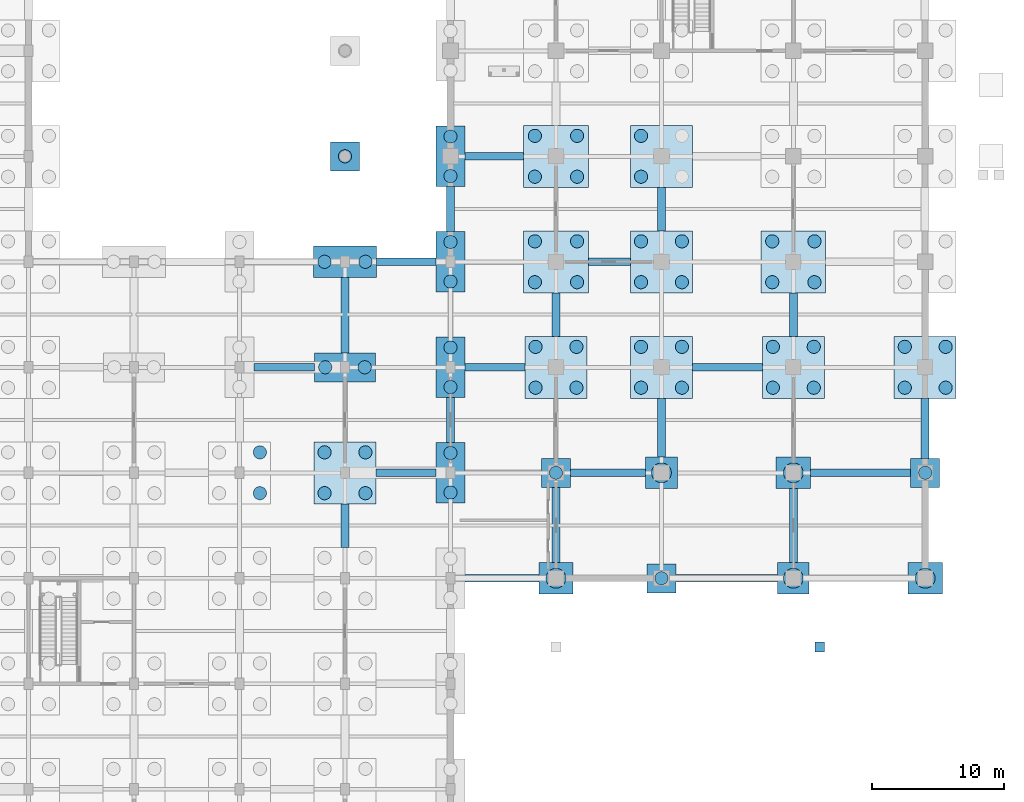
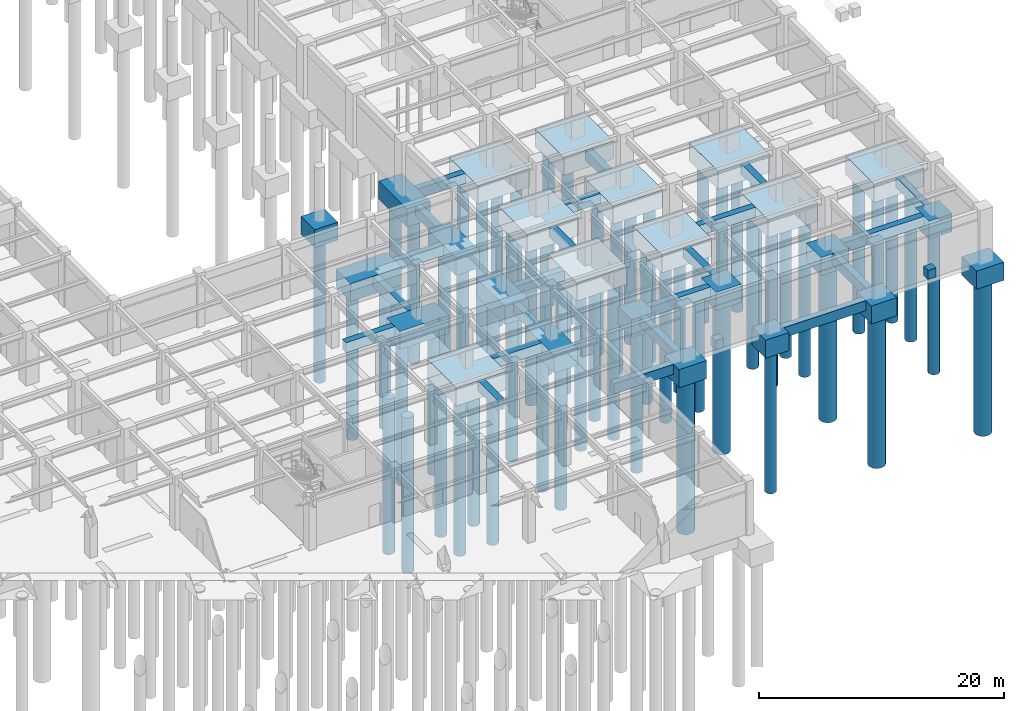
# One storey, part 10 of 97: 61 piles, 48 footings.
"""IFC4 building model written with IfcOpenShell, lengths in metres."""

from ifc_helpers import new_model, si_unit, direction, frame, origin, origin_2d, place, context, subcontext, project, spatial, rectangle, circle, extrude, material, layer, layer_set, material_profile, profile_set, type_object, element, save


model = new_model("IFC4")

# Units and contexts
model_context = context("Model", 3, precision=1e-05, world=origin(), true_north=direction((0.0, 1.0)))
body_context = subcontext(model_context, "Body", "Model", "MODEL_VIEW")
ifc_project = project(units=[si_unit("LENGTHUNIT", "METRE"), si_unit("AREAUNIT", "SQUARE_METRE"), si_unit("VOLUMEUNIT", "CUBIC_METRE"), si_unit("PLANEANGLEUNIT", "RADIAN"), si_unit("MASSUNIT", "GRAM", prefix="KILO")], contexts=[model_context])

# Site, building, storey
site_placement = place(None, origin())
site = spatial("IfcSite", under=ifc_project, at=site_placement, CompositionType="ELEMENT")
building_placement = place(site_placement, origin())
building = spatial("IfcBuilding", under=site, at=building_placement, Name="Haebicheon Civic Stadium", CompositionType="ELEMENT")
storey_placement = place(building_placement, frame((0.0, 0.0, -5.39990234375)))
storey = spatial("IfcBuildingStorey", under=building, at=storey_placement, Name="B1", CompositionType="ELEMENT", Elevation=-5.39990234375)

# Footings
ifc_material_1 = material(Name="Concrete C40/50", Category="concrete")
ifc_layer_1 = layer(ifc_material_1, 1.0, Name="Concrete C40/50")
ifc_layer_set_1 = layer_set([ifc_layer_1], Name="Concrete C40/50")
footing_type_1 = type_object("IfcFootingType", Name="FB-3200x600", PredefinedType="FOOTING_BEAM", material=ifc_layer_set_1)
footing_1_placement = place(storey_placement, frame((212.050048828125, 48.0, -1.0), z_axis=(0.0, 0.0, 1.0), x_axis=(1.0, 0.0, 0.0)))
element("IfcFooting", 1, at=footing_1_placement, inside=storey, type_object=footing_type_1, material=ifc_layer_set_1, Name="Ground tie beam X 26-06", PredefinedType="FOOTING_BEAM", context=body_context, shape_type="SweptSolid", body=[
    extrude(rectangle(XDim=3.199951171875, YDim=0.60009765625, at=origin_2d()), origin(), (0.0, 0.0, 1.0), 1.0),
])
ifc_material_2 = material(Name="Concrete C40/50", Category="concrete")
ifc_layer_2 = layer(ifc_material_2, 1.0, Name="Concrete C40/50")
ifc_layer_set_2 = layer_set([ifc_layer_2], Name="Concrete C40/50")
footing_type_2 = type_object("IfcFootingType", Name="FB-3300x600", PredefinedType="FOOTING_BEAM", material=ifc_layer_set_2)
for number, where, z_axis, x_axis, name in (
    (2, (192.0, 28.0, -1.0), (0.0, 0.0, 1.0), (0.0, 1.0, 0.0), "Ground tie beam Y 24-03"),
    (3, (208.0, 44.0, -1.0), (0.0, 0.0, 1.0), (0.0, 1.0, 0.0), "Ground tie beam Y 26-05"),
    (4, (216.0, 52.0, -1.0), (0.0, 0.0, 1.0), (0.0, 1.0, 0.0), "Ground tie beam Y 27-06"),
    (5, (226.0, 44.0, -1.0), (0.0, 0.0, 1.0), (0.0, 1.0, 0.0), "Ground tie beam Y 28-05"),
):
    element("IfcFooting", number, at=place(storey_placement, frame(where, z_axis=z_axis, x_axis=x_axis)), inside=storey, type_object=footing_type_2, material=ifc_layer_set_2, Name=name, PredefinedType="FOOTING_BEAM", context=body_context, shape_type="SweptSolid", body=[
        extrude(rectangle(XDim=3.300048828125, YDim=0.60009765625, at=origin_2d()), origin(), (0.0, 0.0, 1.0), 1.0),
    ])
ifc_material_3 = material(Name="Concrete C40/50", Category="concrete")
ifc_layer_3 = layer(ifc_material_3, 1.0, Name="Concrete C40/50")
ifc_layer_set_3 = layer_set([ifc_layer_3], Name="Concrete C40/50")
footing_type_3 = type_object("IfcFootingType", Name="FB-3400x600", PredefinedType="FOOTING_BEAM", material=ifc_layer_set_3)
for number, where, z_axis, x_axis, name in (
    (6, (200.0, 36.0, -1.0), (0.0, 0.0, 1.0), (0.0, 1.0, 0.0), "Ground tie beam Y 25-04"),
    (7, (200.0, 52.0, -1.0), (0.0, 0.0, 1.0), (0.0, 1.0, 0.0), "Ground tie beam Y 25-06"),
):
    element("IfcFooting", number, at=place(storey_placement, frame(where, z_axis=z_axis, x_axis=x_axis)), inside=storey, type_object=footing_type_3, material=ifc_layer_set_3, Name=name, PredefinedType="FOOTING_BEAM", context=body_context, shape_type="SweptSolid", body=[
        extrude(rectangle(XDim=3.39990234375, YDim=0.60009765625, at=origin_2d()), origin(), (0.0, 0.0, 1.0), 1.0),
    ])
ifc_material_4 = material(Name="Concrete C40/50", Category="concrete")
ifc_layer_4 = layer(ifc_material_4, 1.0, Name="Concrete C40/50")
ifc_layer_set_4 = layer_set([ifc_layer_4], Name="Concrete C40/50")
footing_type_4 = type_object("IfcFootingType", Name="FB-4450x600", PredefinedType="FOOTING_BEAM", material=ifc_layer_set_4)
for number, where, z_axis, x_axis, name in (
    (8, (203.324951171875, 56.0, -1.0), (0.0, 0.0, 1.0), (1.0, 0.0, 0.0), "Ground tie beam X 25-07"),
    (9, (216.0, 35.425048828125, -1.0), (0.0, 0.0, 1.0), (0.0, 1.0, 0.0), "Ground tie beam Y 27-04"),
):
    element("IfcFooting", number, at=place(storey_placement, frame(where, z_axis=z_axis, x_axis=x_axis)), inside=storey, type_object=footing_type_4, material=ifc_layer_set_4, Name=name, PredefinedType="FOOTING_BEAM", context=body_context, shape_type="SweptSolid", body=[
        extrude(rectangle(XDim=4.449951171875, YDim=0.60009765625, at=origin_2d()), origin(), (0.0, 0.0, 1.0), 1.0),
    ])
ifc_material_5 = material(Name="Concrete C40/50", Category="concrete")
ifc_layer_5 = layer(ifc_material_5, 1.0, Name="Concrete C40/50")
ifc_layer_set_5 = layer_set([ifc_layer_5], Name="Concrete C40/50")
footing_type_5 = type_object("IfcFootingType", Name="FB-4500x600", PredefinedType="FOOTING_BEAM", material=ifc_layer_set_5)
footing_2_placement = place(storey_placement, frame((196.64990234375, 48.0, -1.0), z_axis=(0.0, 0.0, 1.0), x_axis=(1.0, 0.0, 0.0)))
element("IfcFooting", 10, at=footing_2_placement, inside=storey, type_object=footing_type_5, material=ifc_layer_set_5, Name="Ground tie beam X 24-06", PredefinedType="FOOTING_BEAM", context=body_context, shape_type="SweptSolid", body=[
    extrude(rectangle(XDim=4.5, YDim=0.60009765625, at=origin_2d()), origin(), (0.0, 0.0, 1.0), 1.0),
])
ifc_material_6 = material(Name="Concrete C40/50", Category="concrete")
ifc_layer_6 = layer(ifc_material_6, 1.0, Name="Concrete C40/50")
ifc_layer_set_6 = layer_set([ifc_layer_6], Name="Concrete C40/50")
footing_type_6 = type_object("IfcFootingType", Name="FB-4550x600", PredefinedType="FOOTING_BEAM", material=ifc_layer_set_6)
for number, where, z_axis, x_axis, name in (
    (11, (196.625, 32.0, -1.0), (0.0, 0.0, 1.0), (1.0, 0.0, 0.0), "Ground tie beam X 24-04"),
    (12, (203.375, 40.0, -1.0), (0.0, 0.0, 1.0), (1.0, 0.0, 0.0), "Ground tie beam X 25-05"),
    (13, (236.0, 35.375, -1.0), (0.0, 0.0, 1.0), (0.0, 1.0, 0.0), "Ground tie beam Y 29-04"),
):
    element("IfcFooting", number, at=place(storey_placement, frame(where, z_axis=z_axis, x_axis=x_axis)), inside=storey, type_object=footing_type_6, material=ifc_layer_set_6, Name=name, PredefinedType="FOOTING_BEAM", context=body_context, shape_type="SweptSolid", body=[
        extrude(rectangle(XDim=4.550048828125, YDim=0.60009765625, at=origin_2d()), origin(), (0.0, 0.0, 1.0), 1.0),
    ])
ifc_material_7 = material(Name="Concrete C40/50", Category="concrete")
ifc_layer_7 = layer(ifc_material_7, 1.0, Name="Concrete C40/50")
ifc_layer_set_7 = layer_set([ifc_layer_7], Name="Concrete C40/50")
footing_type_7 = type_object("IfcFootingType", Name="FB-4600x600", PredefinedType="FOOTING_BEAM", material=ifc_layer_set_7)
footing_3_placement = place(storey_placement, frame((187.39990234375, 40.0, -1.0), z_axis=(0.0, 0.0, 1.0), x_axis=(1.0, 0.0, 0.0)))
element("IfcFooting", 14, at=footing_3_placement, inside=storey, type_object=footing_type_7, material=ifc_layer_set_7, Name="Ground tie beam X 23-05", PredefinedType="FOOTING_BEAM", context=body_context, shape_type="SweptSolid", body=[
    extrude(rectangle(XDim=4.60009765625, YDim=0.60009765625, at=origin_2d()), origin(), (0.0, 0.0, 1.0), 1.0),
])
ifc_material_8 = material(Name="Concrete C40/50", Category="concrete")
ifc_layer_8 = layer(ifc_material_8, 1.0, Name="Concrete C40/50")
ifc_layer_set_8 = layer_set([ifc_layer_8], Name="Concrete C40/50")
footing_type_8 = type_object("IfcFootingType", Name="FB-5300x600", PredefinedType="FOOTING_BEAM", material=ifc_layer_set_8)
footing_4_placement = place(storey_placement, frame((221.0, 40.0, -1.0), z_axis=(0.0, 0.0, 1.0), x_axis=(1.0, 0.0, 0.0)))
element("IfcFooting", 15, at=footing_4_placement, inside=storey, type_object=footing_type_8, material=ifc_layer_set_8, Name="Ground tie beam X 27-05", PredefinedType="FOOTING_BEAM", context=body_context, shape_type="SweptSolid", body=[
    extrude(rectangle(XDim=5.300048828125, YDim=0.60009765625, at=origin_2d()), origin(), (0.0, 0.0, 1.0), 1.0),
])
ifc_material_9 = material(Name="Concrete C40/50", Category="concrete")
ifc_layer_9 = layer(ifc_material_9, 1.0, Name="Concrete C40/50")
ifc_layer_set_9 = layer_set([ifc_layer_9], Name="Concrete C40/50")
footing_type_9 = type_object("IfcFootingType", Name="FB-5600x600", PredefinedType="FOOTING_BEAM", material=ifc_layer_set_9)
for number, where, z_axis, x_axis, name in (
    (16, (203.89990234375, 24.0, -1.0), (0.0, 0.0, 1.0), (1.0, 0.0, 0.0), "Ground tie beam X 25-03"),
    (17, (226.0, 28.0, -1.0), (0.0, 0.0, 1.0), (0.0, 1.0, 0.0), "Ground tie beam Y 28-03"),
):
    element("IfcFooting", number, at=place(storey_placement, frame(where, z_axis=z_axis, x_axis=x_axis)), inside=storey, type_object=footing_type_9, material=ifc_layer_set_9, Name=name, PredefinedType="FOOTING_BEAM", context=body_context, shape_type="SweptSolid", body=[
        extrude(rectangle(XDim=5.60009765625, YDim=0.60009765625, at=origin_2d()), origin(), (0.0, 0.0, 1.0), 1.0),
    ])
ifc_material_10 = material(Name="Concrete C40/50", Category="concrete")
ifc_layer_10 = layer(ifc_material_10, 1.0, Name="Concrete C40/50")
ifc_layer_set_10 = layer_set([ifc_layer_10], Name="Concrete C40/50")
footing_type_10 = type_object("IfcFootingType", Name="FB-5700x600", PredefinedType="FOOTING_BEAM", material=ifc_layer_set_10)
for number, where, z_axis, x_axis, name in (
    (18, (192.0, 43.949951171875, -1.0), (0.0, 0.0, 1.0), (0.0, 1.0, 0.0), "Ground tie beam Y 24-05"),
    (19, (208.0, 28.050048828125, -1.0), (0.0, 0.0, 1.0), (0.0, 1.0, 0.0), "Ground tie beam Y 26-03"),
    (20, (211.949951171875, 32.0, -1.0), (0.0, 0.0, 1.0), (1.0, 0.0, 0.0), "Ground tie beam X 26-04"),
):
    element("IfcFooting", number, at=place(storey_placement, frame(where, z_axis=z_axis, x_axis=x_axis)), inside=storey, type_object=footing_type_10, material=ifc_layer_set_10, Name=name, PredefinedType="FOOTING_BEAM", context=body_context, shape_type="SweptSolid", body=[
        extrude(rectangle(XDim=5.699951171875, YDim=0.60009765625, at=origin_2d()), origin(), (0.0, 0.0, 1.0), 1.0),
    ])
ifc_material_11 = material(Name="Concrete C40/50", Category="concrete")
ifc_layer_11 = layer(ifc_material_11, 1.0, Name="Concrete C40/50")
ifc_layer_set_11 = layer_set([ifc_layer_11], Name="Concrete C40/50")
footing_type_11 = type_object("IfcFootingType", Name="FB-7600x600", PredefinedType="FOOTING_BEAM", material=ifc_layer_set_11)
footing_5_placement = place(storey_placement, frame((231.10009765625, 32.0, -1.0), z_axis=(0.0, 0.0, 1.0), x_axis=(1.0, 0.0, 0.0)))
element("IfcFooting", 21, at=footing_5_placement, inside=storey, type_object=footing_type_11, material=ifc_layer_set_11, Name="Ground tie beam X 28-04", PredefinedType="FOOTING_BEAM", context=body_context, shape_type="SweptSolid", body=[
    extrude(rectangle(XDim=7.60009765625, YDim=0.60009765625, at=origin_2d()), origin(), (0.0, 0.0, 1.0), 1.0),
])
ifc_material_12 = material(Name="Concrete C40/50", Category="concrete")
ifc_layer_12 = layer(ifc_material_12, 1.0, Name="Concrete C40/50")
ifc_layer_set_12 = layer_set([ifc_layer_12], Name="Concrete C40/50")
footing_type_12 = type_object("IfcFootingType", Name="FB-7700x600", PredefinedType="FOOTING_BEAM", material=ifc_layer_set_12)
footing_6_placement = place(storey_placement, frame((220.949951171875, 24.0, -1.0), z_axis=(0.0, 0.0, 1.0), x_axis=(1.0, 0.0, 0.0)))
element("IfcFooting", 22, at=footing_6_placement, inside=storey, type_object=footing_type_12, material=ifc_layer_set_12, Name="Ground tie beam X 27-03", PredefinedType="FOOTING_BEAM", context=body_context, shape_type="SweptSolid", body=[
    extrude(rectangle(XDim=7.699951171875, YDim=0.60009765625, at=origin_2d()), origin(), (0.0, 0.0, 1.0), 1.0),
])
ifc_material_13 = material(Name="Concrete C40/50", Category="concrete")
ifc_layer_13 = layer(ifc_material_13, 1.800048828125, Name="Concrete C40/50")
ifc_layer_set_13 = layer_set([ifc_layer_13], Name="Concrete C40/50")
footing_type_13 = type_object("IfcFootingType", Name="PC-1P-2200", PredefinedType="PILE_CAP", material=ifc_layer_set_13)
for number, where, z_axis, x_axis, name in (
    (23, (208.0, 32.0, -1.80029296875), (0.0, 0.0, 1.0), (1.0, 0.0, 0.0), "Pile cap FT-PC-26-04"),
    (24, (216.0, 24.0, -1.80029296875), (0.0, 0.0, 1.0), (1.0, 0.0, 0.0), "Pile cap FT-PC-27-03"),
    (25, (236.0, 32.0, -1.80029296875), (0.0, 0.0, 1.0), (1.0, 0.0, 0.0), "Pile cap FT-PC-29-04"),
    (26, (192.0, 56.0, -1.80029296875), (0.0, 0.0, 1.0), (1.0, 0.0, 0.0), "Bowl pier pile cap FT-BPC-039"),
):
    element("IfcFooting", number, at=place(storey_placement, frame(where, z_axis=z_axis, x_axis=x_axis)), inside=storey, type_object=footing_type_13, material=ifc_layer_set_13, Name=name, PredefinedType="PILE_CAP", context=body_context, shape_type="SweptSolid", body=[
        extrude(rectangle(XDim=2.199951171875, YDim=2.199951171875, at=origin_2d()), origin(), (0.0, 0.0, 1.0), 1.800048828125),
    ])
ifc_material_14 = material(Name="Concrete C40/50", Category="concrete")
ifc_layer_14 = layer(ifc_material_14, 1.800048828125, Name="Concrete C40/50")
ifc_layer_set_14 = layer_set([ifc_layer_14], Name="Concrete C40/50")
footing_type_14 = type_object("IfcFootingType", Name="PC-1P-2400", PredefinedType="PILE_CAP", material=ifc_layer_set_14)
for number, where, z_axis, x_axis, name in (
    (27, (216.0, 32.0, -1.80029296875), (0.0, 0.0, 1.0), (1.0, 0.0, 0.0), "Pile cap FT-PC-27-04"),
    (28, (226.0, 24.0, -1.80029296875), (0.0, 0.0, 1.0), (1.0, 0.0, 0.0), "Pile cap FT-PC-28-03"),
):
    element("IfcFooting", number, at=place(storey_placement, frame(where, z_axis=z_axis, x_axis=x_axis)), inside=storey, type_object=footing_type_14, material=ifc_layer_set_14, Name=name, PredefinedType="PILE_CAP", context=body_context, shape_type="SweptSolid", body=[
        extrude(rectangle(XDim=2.39990234375, YDim=2.39990234375, at=origin_2d()), origin(), (0.0, 0.0, 1.0), 1.800048828125),
    ])
ifc_material_15 = material(Name="Concrete C40/50", Category="concrete")
ifc_layer_15 = layer(ifc_material_15, 1.800048828125, Name="Concrete C40/50")
ifc_layer_set_15 = layer_set([ifc_layer_15], Name="Concrete C40/50")
footing_type_15 = type_object("IfcFootingType", Name="PC-1P-2600", PredefinedType="PILE_CAP", material=ifc_layer_set_15)
for number, where, z_axis, x_axis, name in (
    (29, (208.0, 24.0, -1.80029296875), (0.0, 0.0, 1.0), (1.0, 0.0, 0.0), "Pile cap FT-PC-26-03"),
    (30, (226.0, 32.0, -1.80029296875), (0.0, 0.0, 1.0), (1.0, 0.0, 0.0), "Pile cap FT-PC-28-04"),
    (31, (236.0, 24.0, -1.80029296875), (0.0, 0.0, 1.0), (1.0, 0.0, 0.0), "Pile cap FT-PC-29-03"),
):
    element("IfcFooting", number, at=place(storey_placement, frame(where, z_axis=z_axis, x_axis=x_axis)), inside=storey, type_object=footing_type_15, material=ifc_layer_set_15, Name=name, PredefinedType="PILE_CAP", context=body_context, shape_type="SweptSolid", body=[
        extrude(rectangle(XDim=2.60009765625, YDim=2.39990234375, at=origin_2d()), origin(), (0.0, 0.0, 1.0), 1.800048828125),
    ])
ifc_material_16 = material(Name="Concrete C40/50", Category="concrete")
ifc_layer_16 = layer(ifc_material_16, 1.800048828125, Name="Concrete C40/50")
ifc_layer_set_16 = layer_set([ifc_layer_16], Name="Concrete C40/50")
footing_type_16 = type_object("IfcFootingType", Name="PC-2P-2200", PredefinedType="PILE_CAP", material=ifc_layer_set_16)
for number, where, z_axis, x_axis, name in (
    (32, (200.0, 32.0, -1.80029296875), (0.0, 0.0, 1.0), (1.0, 0.0, 0.0), "Pile cap FT-PC-25-04"),
    (33, (200.0, 40.0, -1.80029296875), (0.0, 0.0, 1.0), (1.0, 0.0, 0.0), "Pile cap FT-PC-25-05"),
    (34, (200.0, 48.0, -1.80029296875), (0.0, 0.0, 1.0), (1.0, 0.0, 0.0), "Pile cap FT-PC-25-06"),
    (35, (200.0, 56.0, -1.80029296875), (0.0, 0.0, 1.0), (1.0, 0.0, 0.0), "Pile cap FT-PC-25-07"),
):
    element("IfcFooting", number, at=place(storey_placement, frame(where, z_axis=z_axis, x_axis=x_axis)), inside=storey, type_object=footing_type_16, material=ifc_layer_set_16, Name=name, PredefinedType="PILE_CAP", context=body_context, shape_type="SweptSolid", body=[
        extrude(rectangle(XDim=2.199951171875, YDim=4.60009765625, at=origin_2d()), origin(), (0.0, 0.0, 1.0), 1.800048828125),
    ])
ifc_material_17 = material(Name="Concrete C40/50", Category="concrete")
ifc_layer_17 = layer(ifc_material_17, 1.800048828125, Name="Concrete C40/50")
ifc_layer_set_17 = layer_set([ifc_layer_17], Name="Concrete C40/50")
footing_type_17 = type_object("IfcFootingType", Name="PC-2P-4600", PredefinedType="PILE_CAP", material=ifc_layer_set_17)
footing_7_placement = place(storey_placement, frame((192.0, 40.0, -1.80029296875), z_axis=(0.0, 0.0, 1.0), x_axis=(1.0, 0.0, 0.0)))
element("IfcFooting", 36, at=footing_7_placement, inside=storey, type_object=footing_type_17, material=ifc_layer_set_17, Name="Pile cap FT-PC-24-05", PredefinedType="PILE_CAP", context=body_context, shape_type="SweptSolid", body=[
    extrude(rectangle(XDim=4.60009765625, YDim=2.199951171875, at=origin_2d()), origin(), (0.0, 0.0, 1.0), 1.800048828125),
])
ifc_material_18 = material(Name="Concrete C40/50", Category="concrete")
ifc_layer_18 = layer(ifc_material_18, 1.800048828125, Name="Concrete C40/50")
ifc_layer_set_18 = layer_set([ifc_layer_18], Name="Concrete C40/50")
footing_type_18 = type_object("IfcFootingType", Name="PC-2P-4800", PredefinedType="PILE_CAP", material=ifc_layer_set_18)
footing_8_placement = place(storey_placement, frame((192.0, 48.0, -1.80029296875), z_axis=(0.0, 0.0, 1.0), x_axis=(1.0, 0.0, 0.0)))
element("IfcFooting", 37, at=footing_8_placement, inside=storey, type_object=footing_type_18, material=ifc_layer_set_18, Name="Pile cap FT-PC-24-06", PredefinedType="PILE_CAP", context=body_context, shape_type="SweptSolid", body=[
    extrude(rectangle(XDim=4.800048828125, YDim=2.39990234375, at=origin_2d()), origin(), (0.0, 0.0, 1.0), 1.800048828125),
])
ifc_material_19 = material(Name="Concrete C40/50", Category="concrete")
ifc_layer_19 = layer(ifc_material_19, 1.800048828125, Name="Concrete C40/50")
ifc_layer_set_19 = layer_set([ifc_layer_19], Name="Concrete C40/50")
footing_type_19 = type_object("IfcFootingType", Name="PC-4P-4700", PredefinedType="PILE_CAP", material=ifc_layer_set_19)
for number, where, z_axis, x_axis, name in (
    (38, (192.0, 32.0, -1.80029296875), (0.0, 0.0, 1.0), (1.0, 0.0, 0.0), "Pile cap FT-PC-24-04"),
    (39, (208.0, 40.0, -1.80029296875), (0.0, 0.0, 1.0), (1.0, 0.0, 0.0), "Pile cap FT-PC-26-05"),
    (40, (216.0, 40.0, -1.80029296875), (0.0, 0.0, 1.0), (1.0, 0.0, 0.0), "Pile cap FT-PC-27-05"),
    (41, (216.0, 48.0, -1.80029296875), (0.0, 0.0, 1.0), (1.0, 0.0, 0.0), "Pile cap FT-PC-27-06"),
    (42, (216.0, 56.0, -1.80029296875), (0.0, 0.0, 1.0), (1.0, 0.0, 0.0), "Pile cap FT-PC-27-07"),
    (43, (226.0, 40.0, -1.80029296875), (0.0, 0.0, 1.0), (1.0, 0.0, 0.0), "Pile cap FT-PC-28-05"),
    (44, (236.0, 40.0, -1.80029296875), (0.0, 0.0, 1.0), (1.0, 0.0, 0.0), "Pile cap FT-PC-29-05"),
):
    element("IfcFooting", number, at=place(storey_placement, frame(where, z_axis=z_axis, x_axis=x_axis)), inside=storey, type_object=footing_type_19, material=ifc_layer_set_19, Name=name, PredefinedType="PILE_CAP", context=body_context, shape_type="SweptSolid", body=[
        extrude(rectangle(XDim=4.699951171875, YDim=4.699951171875, at=origin_2d()), origin(), (0.0, 0.0, 1.0), 1.800048828125),
    ])
ifc_material_20 = material(Name="Concrete C40/50", Category="concrete")
ifc_layer_20 = layer(ifc_material_20, 1.800048828125, Name="Concrete C40/50")
ifc_layer_set_20 = layer_set([ifc_layer_20], Name="Concrete C40/50")
footing_type_20 = type_object("IfcFootingType", Name="PC-4P-4900", PredefinedType="PILE_CAP", material=ifc_layer_set_20)
for number, where, z_axis, x_axis, name in (
    (45, (208.0, 48.0, -1.80029296875), (0.0, 0.0, 1.0), (1.0, 0.0, 0.0), "Pile cap FT-PC-26-06"),
    (46, (208.0, 56.0, -1.80029296875), (0.0, 0.0, 1.0), (1.0, 0.0, 0.0), "Pile cap FT-PC-26-07"),
    (47, (226.0, 48.0, -1.80029296875), (0.0, 0.0, 1.0), (1.0, 0.0, 0.0), "Pile cap FT-PC-28-06"),
):
    element("IfcFooting", number, at=place(storey_placement, frame(where, z_axis=z_axis, x_axis=x_axis)), inside=storey, type_object=footing_type_20, material=ifc_layer_set_20, Name=name, PredefinedType="PILE_CAP", context=body_context, shape_type="SweptSolid", body=[
        extrude(rectangle(XDim=4.89990234375, YDim=4.699951171875, at=origin_2d()), origin(), (0.0, 0.0, 1.0), 1.800048828125),
    ])
ifc_material_21 = material(Name="Concrete C35/45", Category="concrete")
ifc_layer_21 = layer(ifc_material_21, 0.89990234375, Name="Concrete C35/45")
ifc_layer_set_21 = layer_set([ifc_layer_21], Name="Concrete C35/45")
footing_type_21 = type_object("IfcFootingType", Name="PF-750", PredefinedType="PAD_FOOTING", material=ifc_layer_set_21)
footing_9_placement = place(storey_placement, frame((228.0, 18.800048828125, 4.300048828125), z_axis=(0.0, 0.0, 1.0), x_axis=(1.0, 0.0, 0.0)))
element("IfcFooting", 48, at=footing_9_placement, inside=storey, type_object=footing_type_21, material=ifc_layer_set_21, Name="Exterior plaza apron pad footing APR-SE-2", PredefinedType="PAD_FOOTING", context=body_context, shape_type="SweptSolid", body=[
    extrude(rectangle(XDim=0.75, YDim=0.75, at=origin_2d()), origin(), (0.0, 0.0, 1.0), 0.89990234375),
])

# Piles
ifc_material_22 = material(Name="Concrete C40/50", Category="concrete")
ifc_material_profile_1 = material_profile(ifc_material_22, circle(Radius=0.5, at=origin_2d()), Name="PILE-D1000")
ifc_profile_set_1 = profile_set([ifc_material_profile_1], Name="Concrete C40/50")
pile_type_1 = type_object("IfcPileType", Name="PL-D1000", PredefinedType="BORED", material=ifc_profile_set_1)
for number, where, z_axis, x_axis, name in (
    (49, (185.550048828125, 30.449951171875, -1.7001953125), (0.0, 0.0, -1.0), (1.0, 0.0, 0.0), "Bored pile 23-04-2"),
    (50, (185.550048828125, 33.550048828125, -1.7001953125), (0.0, 0.0, -1.0), (1.0, 0.0, 0.0), "Bored pile 23-04-4"),
    (51, (190.449951171875, 30.449951171875, -1.7001953125), (0.0, 0.0, -1.0), (1.0, 0.0, 0.0), "Bored pile 24-04-1"),
    (52, (193.550048828125, 30.449951171875, -1.7001953125), (0.0, 0.0, -1.0), (1.0, 0.0, 0.0), "Bored pile 24-04-2"),
    (53, (190.449951171875, 33.550048828125, -1.7001953125), (0.0, 0.0, -1.0), (1.0, 0.0, 0.0), "Bored pile 24-04-3"),
    (54, (193.550048828125, 33.550048828125, -1.7001953125), (0.0, 0.0, -1.0), (1.0, 0.0, 0.0), "Bored pile 24-04-4"),
):
    element("IfcPile", number, at=place(storey_placement, frame(where, z_axis=z_axis, x_axis=x_axis)), inside=storey, type_object=pile_type_1, material=ifc_profile_set_1, Name=name, PredefinedType="BORED", context=body_context, shape_type="SweptSolid", body=[
        extrude(circle(Radius=0.5, at=origin_2d()), origin(), (0.0, 0.0, 1.0), 15.5),
    ])
for number, where, z_axis, x_axis, name in (
    (55, (190.5, 40.0, -1.7001953125), (0.0, 0.0, -1.0), (1.0, 0.0, 0.0), "Bored pile 24-05-1"),
    (56, (193.5, 40.0, -1.7001953125), (0.0, 0.0, -1.0), (1.0, 0.0, 0.0), "Bored pile 24-05-2"),
):
    element("IfcPile", number, at=place(storey_placement, frame(where, z_axis=z_axis, x_axis=x_axis)), inside=storey, type_object=pile_type_1, material=ifc_profile_set_1, Name=name, PredefinedType="BORED", context=body_context, shape_type="SweptSolid", body=[
        extrude(circle(Radius=0.5, at=origin_2d()), origin(), (0.0, 0.0, 1.0), 14.300048828125),
    ])
for number, where, z_axis, x_axis, name in (
    (57, (190.449951171875, 48.0, -1.7001953125), (0.0, 0.0, -1.0), (1.0, 0.0, 0.0), "Bored pile 24-06-1"),
    (58, (193.550048828125, 48.0, -1.7001953125), (0.0, 0.0, -1.0), (1.0, 0.0, 0.0), "Bored pile 24-06-2"),
):
    element("IfcPile", number, at=place(storey_placement, frame(where, z_axis=z_axis, x_axis=x_axis)), inside=storey, type_object=pile_type_1, material=ifc_profile_set_1, Name=name, PredefinedType="BORED", context=body_context, shape_type="SweptSolid", body=[
        extrude(circle(Radius=0.5, at=origin_2d()), origin(), (0.0, 0.0, 1.0), 14.60009765625),
    ])
for number, where, z_axis, x_axis, name in (
    (59, (200.0, 30.5, -1.7001953125), (0.0, 0.0, -1.0), (1.0, 0.0, 0.0), "Bored pile 25-04-1"),
    (60, (200.0, 33.5, -1.7001953125), (0.0, 0.0, -1.0), (1.0, 0.0, 0.0), "Bored pile 25-04-2"),
    (61, (200.0, 38.5, -1.7001953125), (0.0, 0.0, -1.0), (1.0, 0.0, 0.0), "Bored pile 25-05-1"),
    (62, (200.0, 41.5, -1.7001953125), (0.0, 0.0, -1.0), (1.0, 0.0, 0.0), "Bored pile 25-05-2"),
    (63, (200.0, 46.5, -1.7001953125), (0.0, 0.0, -1.0), (1.0, 0.0, 0.0), "Bored pile 25-06-1"),
    (64, (200.0, 49.5, -1.7001953125), (0.0, 0.0, -1.0), (1.0, 0.0, 0.0), "Bored pile 25-06-2"),
    (65, (200.0, 54.5, -1.7001953125), (0.0, 0.0, -1.0), (1.0, 0.0, 0.0), "Bored pile 25-07-1"),
    (66, (200.0, 57.5, -1.7001953125), (0.0, 0.0, -1.0), (1.0, 0.0, 0.0), "Bored pile 25-07-2"),
    (67, (208.0, 32.0, -1.7001953125), (0.0, 0.0, -1.0), (1.0, 0.0, 0.0), "Bored pile 26-04-1"),
):
    element("IfcPile", number, at=place(storey_placement, frame(where, z_axis=z_axis, x_axis=x_axis)), inside=storey, type_object=pile_type_1, material=ifc_profile_set_1, Name=name, PredefinedType="BORED", context=body_context, shape_type="SweptSolid", body=[
        extrude(circle(Radius=0.5, at=origin_2d()), origin(), (0.0, 0.0, 1.0), 14.300048828125),
    ])
for number, where, z_axis, x_axis, name in (
    (68, (206.449951171875, 38.449951171875, -1.7001953125), (0.0, 0.0, -1.0), (1.0, 0.0, 0.0), "Bored pile 26-05-1"),
    (69, (209.550048828125, 38.449951171875, -1.7001953125), (0.0, 0.0, -1.0), (1.0, 0.0, 0.0), "Bored pile 26-05-2"),
    (70, (206.449951171875, 41.550048828125, -1.7001953125), (0.0, 0.0, -1.0), (1.0, 0.0, 0.0), "Bored pile 26-05-3"),
    (71, (209.550048828125, 41.550048828125, -1.7001953125), (0.0, 0.0, -1.0), (1.0, 0.0, 0.0), "Bored pile 26-05-4"),
):
    element("IfcPile", number, at=place(storey_placement, frame(where, z_axis=z_axis, x_axis=x_axis)), inside=storey, type_object=pile_type_1, material=ifc_profile_set_1, Name=name, PredefinedType="BORED", context=body_context, shape_type="SweptSolid", body=[
        extrude(circle(Radius=0.5, at=origin_2d()), origin(), (0.0, 0.0, 1.0), 15.5),
    ])
for number, where, z_axis, x_axis, name in (
    (72, (206.39990234375, 46.449951171875, -1.7001953125), (0.0, 0.0, -1.0), (1.0, 0.0, 0.0), "Bored pile 26-06-1"),
    (73, (209.60009765625, 46.449951171875, -1.7001953125), (0.0, 0.0, -1.0), (1.0, 0.0, 0.0), "Bored pile 26-06-2"),
    (74, (206.39990234375, 49.550048828125, -1.7001953125), (0.0, 0.0, -1.0), (1.0, 0.0, 0.0), "Bored pile 26-06-3"),
    (75, (209.60009765625, 49.550048828125, -1.7001953125), (0.0, 0.0, -1.0), (1.0, 0.0, 0.0), "Bored pile 26-06-4"),
    (76, (206.39990234375, 54.449951171875, -1.7001953125), (0.0, 0.0, -1.0), (1.0, 0.0, 0.0), "Bored pile 26-07-1"),
    (77, (209.60009765625, 54.449951171875, -1.7001953125), (0.0, 0.0, -1.0), (1.0, 0.0, 0.0), "Bored pile 26-07-2"),
    (78, (206.39990234375, 57.550048828125, -1.7001953125), (0.0, 0.0, -1.0), (1.0, 0.0, 0.0), "Bored pile 26-07-3"),
    (79, (209.60009765625, 57.550048828125, -1.7001953125), (0.0, 0.0, -1.0), (1.0, 0.0, 0.0), "Bored pile 26-07-4"),
):
    element("IfcPile", number, at=place(storey_placement, frame(where, z_axis=z_axis, x_axis=x_axis)), inside=storey, type_object=pile_type_1, material=ifc_profile_set_1, Name=name, PredefinedType="BORED", context=body_context, shape_type="SweptSolid", body=[
        extrude(circle(Radius=0.5, at=origin_2d()), origin(), (0.0, 0.0, 1.0), 15.800048828125),
    ])
pile_1_placement = place(storey_placement, frame((216.0, 24.0, -1.7001953125), z_axis=(0.0, 0.0, -1.0), x_axis=(1.0, 0.0, 0.0)))
element("IfcPile", 80, at=pile_1_placement, inside=storey, type_object=pile_type_1, material=ifc_profile_set_1, Name="Bored pile 27-03-1", PredefinedType="BORED", context=body_context, shape_type="SweptSolid", body=[
    extrude(circle(Radius=0.5, at=origin_2d()), origin(), (0.0, 0.0, 1.0), 14.300048828125),
])
for number, where, z_axis, x_axis, name in (
    (81, (214.449951171875, 38.449951171875, -1.7001953125), (0.0, 0.0, -1.0), (1.0, 0.0, 0.0), "Bored pile 27-05-1"),
    (82, (217.550048828125, 38.449951171875, -1.7001953125), (0.0, 0.0, -1.0), (1.0, 0.0, 0.0), "Bored pile 27-05-2"),
    (83, (214.449951171875, 41.550048828125, -1.7001953125), (0.0, 0.0, -1.0), (1.0, 0.0, 0.0), "Bored pile 27-05-3"),
    (84, (217.550048828125, 41.550048828125, -1.7001953125), (0.0, 0.0, -1.0), (1.0, 0.0, 0.0), "Bored pile 27-05-4"),
    (85, (214.449951171875, 46.449951171875, -1.7001953125), (0.0, 0.0, -1.0), (1.0, 0.0, 0.0), "Bored pile 27-06-1"),
    (86, (217.550048828125, 46.449951171875, -1.7001953125), (0.0, 0.0, -1.0), (1.0, 0.0, 0.0), "Bored pile 27-06-2"),
    (87, (214.449951171875, 49.550048828125, -1.7001953125), (0.0, 0.0, -1.0), (1.0, 0.0, 0.0), "Bored pile 27-06-3"),
    (88, (217.550048828125, 49.550048828125, -1.7001953125), (0.0, 0.0, -1.0), (1.0, 0.0, 0.0), "Bored pile 27-06-4"),
    (89, (214.449951171875, 54.449951171875, -1.7001953125), (0.0, 0.0, -1.0), (1.0, 0.0, 0.0), "Bored pile 27-07-1"),
    (90, (214.449951171875, 57.550048828125, -1.7001953125), (0.0, 0.0, -1.0), (1.0, 0.0, 0.0), "Bored pile 27-07-3"),
    (91, (224.449951171875, 38.449951171875, -1.7001953125), (0.0, 0.0, -1.0), (1.0, 0.0, 0.0), "Bored pile 28-05-1"),
    (92, (227.550048828125, 38.449951171875, -1.7001953125), (0.0, 0.0, -1.0), (1.0, 0.0, 0.0), "Bored pile 28-05-2"),
    (93, (224.449951171875, 41.550048828125, -1.7001953125), (0.0, 0.0, -1.0), (1.0, 0.0, 0.0), "Bored pile 28-05-3"),
    (94, (227.550048828125, 41.550048828125, -1.7001953125), (0.0, 0.0, -1.0), (1.0, 0.0, 0.0), "Bored pile 28-05-4"),
):
    element("IfcPile", number, at=place(storey_placement, frame(where, z_axis=z_axis, x_axis=x_axis)), inside=storey, type_object=pile_type_1, material=ifc_profile_set_1, Name=name, PredefinedType="BORED", context=body_context, shape_type="SweptSolid", body=[
        extrude(circle(Radius=0.5, at=origin_2d()), origin(), (0.0, 0.0, 1.0), 15.5),
    ])
for number, where, z_axis, x_axis, name in (
    (95, (224.39990234375, 46.449951171875, -1.7001953125), (0.0, 0.0, -1.0), (1.0, 0.0, 0.0), "Bored pile 28-06-1"),
    (96, (227.60009765625, 46.449951171875, -1.7001953125), (0.0, 0.0, -1.0), (1.0, 0.0, 0.0), "Bored pile 28-06-2"),
    (97, (224.39990234375, 49.550048828125, -1.7001953125), (0.0, 0.0, -1.0), (1.0, 0.0, 0.0), "Bored pile 28-06-3"),
    (98, (227.60009765625, 49.550048828125, -1.7001953125), (0.0, 0.0, -1.0), (1.0, 0.0, 0.0), "Bored pile 28-06-4"),
):
    element("IfcPile", number, at=place(storey_placement, frame(where, z_axis=z_axis, x_axis=x_axis)), inside=storey, type_object=pile_type_1, material=ifc_profile_set_1, Name=name, PredefinedType="BORED", context=body_context, shape_type="SweptSolid", body=[
        extrude(circle(Radius=0.5, at=origin_2d()), origin(), (0.0, 0.0, 1.0), 15.800048828125),
    ])
pile_2_placement = place(storey_placement, frame((236.0, 32.0, -1.7001953125), z_axis=(0.0, 0.0, -1.0), x_axis=(1.0, 0.0, 0.0)))
element("IfcPile", 99, at=pile_2_placement, inside=storey, type_object=pile_type_1, material=ifc_profile_set_1, Name="Bored pile 29-04-1", PredefinedType="BORED", context=body_context, shape_type="SweptSolid", body=[
    extrude(circle(Radius=0.5, at=origin_2d()), origin(), (0.0, 0.0, 1.0), 14.300048828125),
])
for number, where, z_axis, x_axis, name in (
    (100, (234.449951171875, 38.449951171875, -1.7001953125), (0.0, 0.0, -1.0), (1.0, 0.0, 0.0), "Bored pile 29-05-1"),
    (101, (237.550048828125, 38.449951171875, -1.7001953125), (0.0, 0.0, -1.0), (1.0, 0.0, 0.0), "Bored pile 29-05-2"),
    (102, (234.449951171875, 41.550048828125, -1.7001953125), (0.0, 0.0, -1.0), (1.0, 0.0, 0.0), "Bored pile 29-05-3"),
    (103, (237.550048828125, 41.550048828125, -1.7001953125), (0.0, 0.0, -1.0), (1.0, 0.0, 0.0), "Bored pile 29-05-4"),
):
    element("IfcPile", number, at=place(storey_placement, frame(where, z_axis=z_axis, x_axis=x_axis)), inside=storey, type_object=pile_type_1, material=ifc_profile_set_1, Name=name, PredefinedType="BORED", context=body_context, shape_type="SweptSolid", body=[
        extrude(circle(Radius=0.5, at=origin_2d()), origin(), (0.0, 0.0, 1.0), 15.5),
    ])
pile_3_placement = place(storey_placement, frame((192.0, 56.0, -1.7001953125), z_axis=(0.0, 0.0, -1.0), x_axis=(1.0, 0.0, 0.0)))
element("IfcPile", 104, at=pile_3_placement, inside=storey, type_object=pile_type_1, material=ifc_profile_set_1, Name="Bowl pier bored pile 039", PredefinedType="BORED", context=body_context, shape_type="SweptSolid", body=[
    extrude(circle(Radius=0.5, at=origin_2d()), origin(), (0.0, 0.0, 1.0), 14.300048828125),
])
ifc_material_23 = material(Name="Concrete C40/50", Category="concrete")
ifc_material_profile_2 = material_profile(ifc_material_23, circle(Radius=0.75, at=origin_2d()), Name="PILE-D1500")
ifc_profile_set_2 = profile_set([ifc_material_profile_2], Name="Concrete C40/50")
pile_type_2 = type_object("IfcPileType", Name="PL-D1500", PredefinedType="BORED", material=ifc_profile_set_2)
pile_4_placement = place(storey_placement, frame((208.0, 24.0, -1.7001953125), z_axis=(0.0, 0.0, -1.0), x_axis=(1.0, 0.0, 0.0)))
element("IfcPile", 105, at=pile_4_placement, inside=storey, type_object=pile_type_2, material=ifc_profile_set_2, Name="Bored pile 26-03-1", PredefinedType="BORED", context=body_context, shape_type="SweptSolid", body=[
    extrude(circle(Radius=0.75, at=origin_2d()), origin(), (0.0, 0.0, 1.0), 15.39990234375),
])
for number, where, z_axis, x_axis, name in (
    (106, (216.0, 32.0, -1.7001953125), (0.0, 0.0, -1.0), (1.0, 0.0, 0.0), "Bored pile 27-04-1"),
    (107, (226.0, 24.0, -1.7001953125), (0.0, 0.0, -1.0), (1.0, 0.0, 0.0), "Bored pile 28-03-1"),
):
    element("IfcPile", number, at=place(storey_placement, frame(where, z_axis=z_axis, x_axis=x_axis)), inside=storey, type_object=pile_type_2, material=ifc_profile_set_2, Name=name, PredefinedType="BORED", context=body_context, shape_type="SweptSolid", body=[
        extrude(circle(Radius=0.75, at=origin_2d()), origin(), (0.0, 0.0, 1.0), 15.10009765625),
    ])
for number, where, z_axis, x_axis, name in (
    (108, (226.0, 32.0, -1.7001953125), (0.0, 0.0, -1.0), (1.0, 0.0, 0.0), "Bored pile 28-04-1"),
    (109, (236.0, 24.0, -1.7001953125), (0.0, 0.0, -1.0), (1.0, 0.0, 0.0), "Bored pile 29-03-1"),
):
    element("IfcPile", number, at=place(storey_placement, frame(where, z_axis=z_axis, x_axis=x_axis)), inside=storey, type_object=pile_type_2, material=ifc_profile_set_2, Name=name, PredefinedType="BORED", context=body_context, shape_type="SweptSolid", body=[
        extrude(circle(Radius=0.75, at=origin_2d()), origin(), (0.0, 0.0, 1.0), 15.39990234375),
    ])

save(model, "model.ifc")
